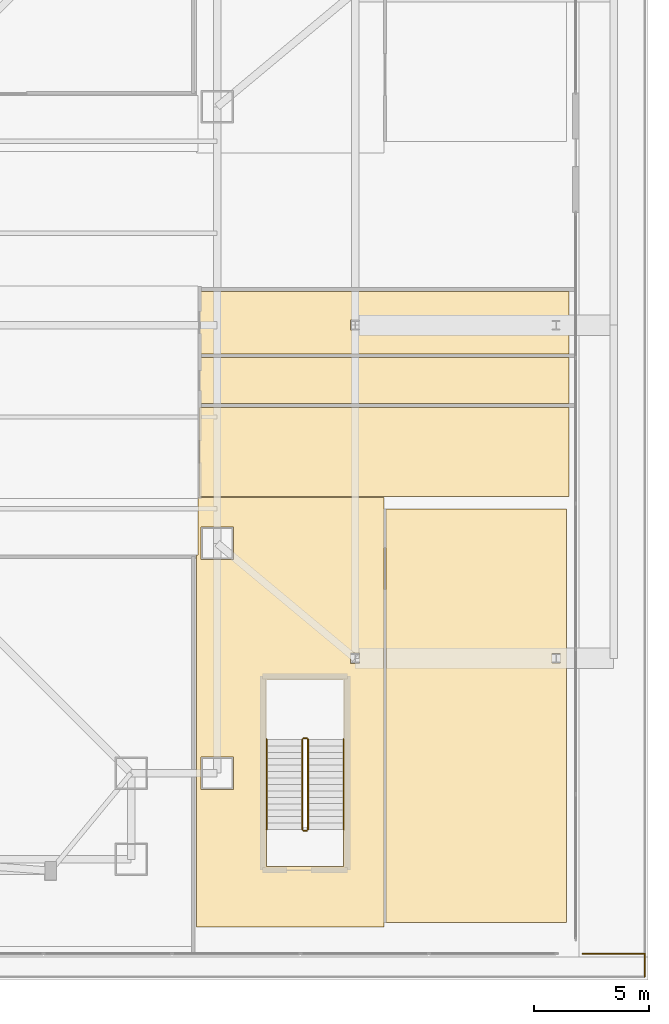
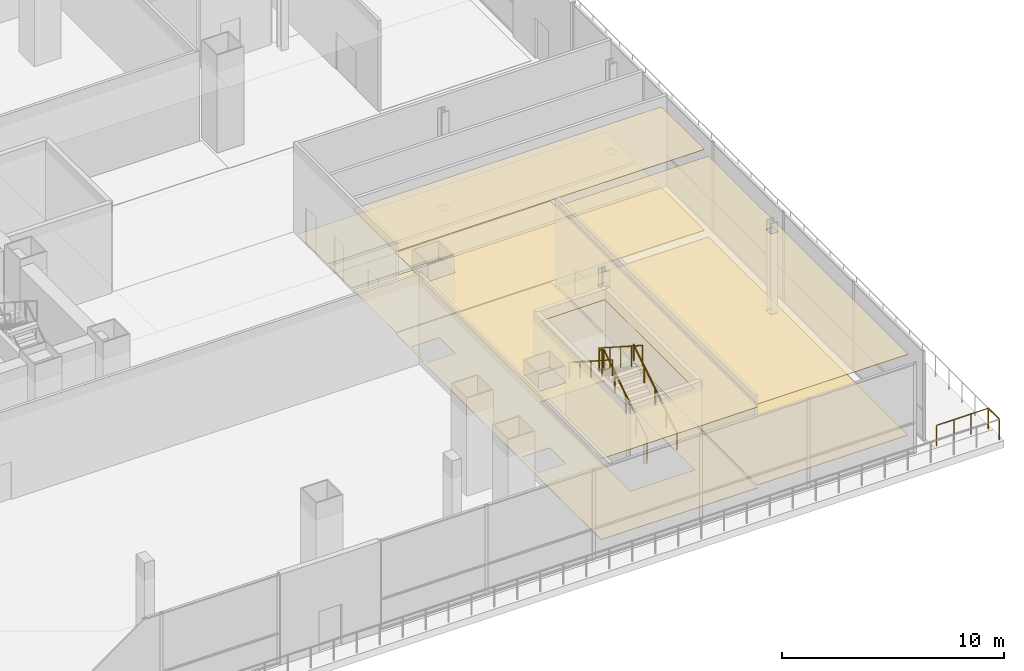
# One storey, part 34 of 36: 8 coverings, 8 railings.
"""IFC4 building model written with IfcOpenShell, lengths in metres."""

import ifcopenshell
import ifcopenshell.guid

model = None  # the IFC model being written
_history = None  # IfcOwnerHistory: only IFC2X3 demands one
_inside = {}  # id of a spatial element -> (the spatial element, [elements in it])
_under = {}  # id of a project, library or spatial element -> (it, [spatial elements below it])
_declared = {}  # id of a project -> (the project, [libraries it declares])
_typed = {}  # id of a type object -> (the type object, [elements of that type])
_made_of = {}  # id of a material, layer set ... -> (it, [elements and type objects made of it])


def new_model(schema):
    """Start an empty IFC model of exactly this schema.

    Asked for "IFC4X3", IfcOpenShell would pick the latest addendum, in which some entities
    have other attributes; the version numbers below select the first issue.
    IFC2X3 requires an IfcOwnerHistory on every rooted entity: one is made here for all.
    """
    global model, _history
    if schema == "IFC4X3":
        model = ifcopenshell.file(schema_version=(4, 3, 0, 0))
    else:
        model = ifcopenshell.file(schema=schema)
    _inside.clear()
    _under.clear()
    _declared.clear()
    _typed.clear()
    _made_of.clear()
    _history = None
    if model.schema == "IFC2X3":
        org = make("IfcOrganization", Name="unknown")
        user = make(
            "IfcPersonAndOrganization",
            ThePerson=make("IfcPerson", FamilyName="unknown"),
            TheOrganization=org,
        )
        app = make(
            "IfcApplication",
            ApplicationDeveloper=org,
            Version="unknown",
            ApplicationFullName="unknown",
            ApplicationIdentifier="unknown",
        )
        _history = make(
            "IfcOwnerHistory",
            OwningUser=user,
            OwningApplication=app,
            ChangeAction="ADDED",
            CreationDate=0,
        )
    return model


def make(cls, **values):
    """One entity of the class cls with the attributes given. An attribute that is None is left unset."""
    return model.create_entity(
        cls, **{name: value for name, value in values.items() if value is not None}
    )


def rooted(cls, **values):
    """An entity with a GlobalId (a new one), such as an element, a storey or a relation."""
    return make(cls, GlobalId=ifcopenshell.guid.new(), OwnerHistory=_history, **values)


def si_unit(unit_type, name, prefix=None):
    """IfcSIUnit, for example si_unit("LENGTHUNIT", "METRE", prefix="MILLI")."""
    return make("IfcSIUnit", UnitType=unit_type, Prefix=prefix, Name=name)


def assignment(units):
    """IfcUnitAssignment: the units of a project."""
    return None if units is None else make("IfcUnitAssignment", Units=units)


def point(xyz):
    """IfcCartesianPoint."""
    return None if xyz is None else make("IfcCartesianPoint", Coordinates=xyz)


def direction(xyz):
    """IfcDirection."""
    return None if xyz is None else make("IfcDirection", DirectionRatios=xyz)


def frame(location, z_axis=None, x_axis=None):
    """IfcAxis2Placement3D, a coordinate frame: its origin and axes. An axis left out is left unset."""
    return make(
        "IfcAxis2Placement3D",
        Location=point(location),
        Axis=direction(z_axis),
        RefDirection=direction(x_axis),
    )


def frame_2d(location, x_axis=None):
    """IfcAxis2Placement2D, a coordinate frame in the plane: its origin and x axis."""
    return make(
        "IfcAxis2Placement2D", Location=point(location), RefDirection=direction(x_axis)
    )


def origin():
    """The frame at (0, 0, 0) with its axes left unset."""
    return frame((0.0, 0.0, 0.0))


def origin_2d():
    """The frame at (0, 0) in the plane with its x axis left unset."""
    return frame_2d((0.0, 0.0))


def place(relative_to, where):
    """IfcLocalPlacement: puts the frame where relative to a parent placement (None: the world)."""
    return make(
        "IfcLocalPlacement", PlacementRelTo=relative_to, RelativePlacement=where
    )


def context(
    kind, dimensions, precision=None, world=None, true_north=None, identifier=None
):
    """IfcGeometricRepresentationContext, for example the 3D "Model" context."""
    return make(
        "IfcGeometricRepresentationContext",
        ContextIdentifier=identifier,
        ContextType=kind,
        CoordinateSpaceDimension=dimensions,
        Precision=precision,
        WorldCoordinateSystem=world,
        TrueNorth=true_north,
    )


def subcontext(parent, identifier, kind, view, scale=None):
    """IfcGeometricRepresentationSubContext, for example "Body" below "Model"."""
    return make(
        "IfcGeometricRepresentationSubContext",
        ContextIdentifier=identifier,
        ContextType=kind,
        ParentContext=parent,
        TargetScale=scale,
        TargetView=view,
    )


def project(units=None, contexts=None):
    """IfcProject with its units and contexts."""
    return rooted(
        "IfcProject",
        Name="project",
        RepresentationContexts=contexts,
        UnitsInContext=assignment(units),
    )


def spatial(cls, under=None, at=None, **own):
    """A site, building, storey or space (cls), placed at a placement, below another one or the project."""
    s = rooted(cls, ObjectPlacement=at, **own)
    if under is not None:
        _under.setdefault(under.id(), (under, []))[1].append(s)
    return s


def polyline(points):
    """IfcPolyline through the points."""
    return make("IfcPolyline", Points=[point(p) for p in points])


def profile(cls, at=None, kind="AREA", **sizes):
    """A parametric profile (cls). Its sizes go by their IFC names, for example OverallWidth=200.0."""
    return make(cls, ProfileType=kind, Position=at, **sizes)


def circle(**sizes):
    """IfcCircleProfileDef."""
    return profile("IfcCircleProfileDef", **sizes)


def outline(outer, holes=None, kind="AREA"):
    """IfcArbitraryClosedProfileDef: a profile drawn as a closed curve; with holes, ...WithVoids."""
    if holes is None:
        return make("IfcArbitraryClosedProfileDef", ProfileType=kind, OuterCurve=outer)
    return make(
        "IfcArbitraryProfileDefWithVoids",
        ProfileType=kind,
        OuterCurve=outer,
        InnerCurves=holes,
    )


def extrude(swept, where, along, depth):
    """IfcExtrudedAreaSolid: the profile swept, set in the frame where, extruded along a direction by depth."""
    return make(
        "IfcExtrudedAreaSolid",
        SweptArea=swept,
        Position=where,
        ExtrudedDirection=direction(along),
        Depth=depth,
    )


def shape(context_of_items, identifier, shape_type, items):
    """IfcShapeRepresentation: the items that make up one representation, for example the "Body"."""
    return make(
        "IfcShapeRepresentation",
        ContextOfItems=context_of_items,
        RepresentationIdentifier=identifier,
        RepresentationType=shape_type,
        Items=items,
    )


def material(Name=None, Category=None):
    """IfcMaterial."""
    return make("IfcMaterial", Name=Name, Category=Category)


def layer(
    of_material, thickness, ventilated=None, Name=None, Category=None, Priority=None
):
    """IfcMaterialLayer: one layer of a wall or slab, of a material (None: an air gap)."""
    return make(
        "IfcMaterialLayer",
        Material=of_material,
        LayerThickness=thickness,
        IsVentilated=ventilated,
        Name=Name,
        Category=Category,
        Priority=Priority,
    )


def layer_set(layers, Name=None):
    """IfcMaterialLayerSet."""
    return make("IfcMaterialLayerSet", MaterialLayers=layers, LayerSetName=Name)


def made_of(thing, what):
    """Note that an element or type object is made of a material, layer set ...; save() writes the relation."""
    if what is not None:
        _made_of.setdefault(what.id(), (what, []))[1].append(thing)
    return thing


def type_object(cls, material=None, **own):
    """A type object (cls), such as IfcWallType, which elements share."""
    return made_of(rooted(cls, **own), material)


def element(
    cls,
    number,
    at=None,
    inside=None,
    cuts=None,
    type_object=None,
    material=None,
    context=None,
    identifier="Body",
    shape_type=None,
    held_by="IfcProductDefinitionShape",
    body=None,
    shapes=None,
    **own,
):
    """One element of the class cls, such as IfcWall. Its Tag is "e" and its number.

    at: its placement. inside: the storey or other place that contains it. cuts: it is an
    opening in that element (IfcRelVoidsElement). A single representation is given by context,
    identifier, shape_type and body (its items); several are given by shapes. held_by: the class
    of the entity that holds the representations. save() writes the other relations.
    """
    e = rooted(cls, Tag="e%d" % number, ObjectPlacement=at, **own)
    if body is not None:
        shapes = [shape(context, identifier, shape_type, body)]
    if shapes is not None:
        e.Representation = make(held_by, Representations=shapes)
    if inside is not None:
        _inside.setdefault(inside.id(), (inside, []))[1].append(e)
    if cuts is not None:
        rooted(
            "IfcRelVoidsElement", RelatingBuildingElement=cuts, RelatedOpeningElement=e
        )
    if type_object is not None:
        _typed.setdefault(type_object.id(), (type_object, []))[1].append(e)
    return made_of(e, material)


def aggregate(whole, parts):
    """IfcRelAggregates: a whole, such as a stair, and the parts it consists of."""
    return rooted("IfcRelAggregates", RelatingObject=whole, RelatedObjects=parts)


def save(model, path):
    """Write the relations noted so far, then the file.

    IfcRelAggregates (storeys below a building ...), IfcRelContainedInSpatialStructure (elements
    in a storey), IfcRelDefinesByType, IfcRelAssociatesMaterial and IfcRelDeclares: one each for
    every whole, place, type object, material and project.
    """
    for whole, parts in _under.values():
        aggregate(whole, parts)
    for where, things in _inside.values():
        rooted(
            "IfcRelContainedInSpatialStructure",
            RelatedElements=things,
            RelatingStructure=where,
        )
    for kind, things in _typed.values():
        rooted("IfcRelDefinesByType", RelatedObjects=things, RelatingType=kind)
    for what, things in _made_of.values():
        rooted("IfcRelAssociatesMaterial", RelatedObjects=things, RelatingMaterial=what)
    for by, libraries in _declared.values():
        rooted("IfcRelDeclares", RelatingContext=by, RelatedDefinitions=libraries)
    model.write(path)


model = new_model("IFC4")

# Units and contexts
model_context = context("Model", 3, precision=1e-05, world=origin(), true_north=direction((0.0, 1.0)))
body_context = subcontext(model_context, "Body", "Model", "MODEL_VIEW")
ifc_project = project(units=[si_unit("LENGTHUNIT", "METRE"), si_unit("AREAUNIT", "SQUARE_METRE"), si_unit("VOLUMEUNIT", "CUBIC_METRE"), si_unit("PLANEANGLEUNIT", "RADIAN"), si_unit("MASSUNIT", "GRAM", prefix="KILO")], contexts=[model_context])

# Site, building, storey
site_placement = place(None, origin())
site = spatial("IfcSite", under=ifc_project, at=site_placement, CompositionType="ELEMENT")
building_placement = place(site_placement, origin())
building = spatial("IfcBuilding", under=site, at=building_placement, Name="Trevonay Congress Spire", CompositionType="ELEMENT")
storey_placement = place(building_placement, frame((0.0, 0.0, 5.39990234375)))
storey = spatial("IfcBuildingStorey", under=building, at=storey_placement, Name="L01", CompositionType="ELEMENT", Elevation=5.39990234375)

# Coverings
ifc_material_1 = material(Name="Acoustic Mineral Fibre Board", Category="gypsum")
ifc_layer_1 = layer(ifc_material_1, 0.02490234375, Name="Acoustic Mineral Fibre Board")
ifc_layer_set_1 = layer_set([ifc_layer_1], Name="Acoustic Mineral Fibre Board")
covering_type_1 = type_object("IfcCoveringType", Name="COV-CEIL-ACOUSTIC", PredefinedType="CEILING", material=ifc_layer_set_1)
covering_1_placement = place(storey_placement, frame((0.0, 0.0, 4.4501953125)))
element("IfcCovering", 1, at=covering_1_placement, inside=storey, type_object=covering_type_1, Name="L01 East VIP Protocol Salon acoustic suspended ceiling", PredefinedType="CEILING", context=body_context, shape_type="SweptSolid", body=[
    extrude(outline(polyline([(22.47998046875, -7.449951171875), (38.550048828125, -7.449951171875), (38.550048828125, -3.580078125), (22.47998046875, -3.580078125), (22.47998046875, -7.449951171875)])), origin(), (0.0, 0.0, 1.0), 0.02490234375),
])
covering_2_placement = place(storey_placement, frame((0.0, 0.0, 4.4501953125)))
element("IfcCovering", 2, at=covering_2_placement, inside=storey, type_object=covering_type_1, Name="L01 L01 Stair Lobby SE acoustic suspended ceiling", PredefinedType="CEILING", context=body_context, shape_type="SweptSolid", body=[
    extrude(outline(polyline([(22.35009765625, -26.199951171875), (22.35009765625, -10.0), (22.419921875, -10.0), (22.419921875, -7.550048828125), (22.419921875, -7.5), (30.5, -7.5), (30.5, -26.199951171875), (22.35009765625, -26.199951171875)]), holes=[polyline([(23.9599609375, -20.2099609375), (23.9599609375, -18.7900390625), (22.5400390625, -18.7900390625), (22.5400390625, -20.2099609375), (23.9599609375, -20.2099609375)]), polyline([(29.055908203125, -14.722412109375), (29.444091796875, -14.722412109375), (29.444091796875, -14.277587890625), (29.055908203125, -14.277587890625), (29.055908203125, -14.722412109375)]), polyline([(22.5400390625, -10.2099609375), (23.9599609375, -10.2099609375), (23.9599609375, -8.7900390625), (22.5400390625, -8.7900390625), (22.5400390625, -10.2099609375)]), polyline([(28.75, -15.449951171875), (25.39990234375, -15.449951171875), (25.39990234375, -23.550048828125), (28.75, -23.550048828125), (28.75, -15.449951171875)])]), origin(), (0.0, 0.0, 1.0), 0.02490234375),
])
covering_3_placement = place(storey_placement, frame((0.0, 0.0, 4.4501953125)))
element("IfcCovering", 3, at=covering_3_placement, inside=storey, type_object=covering_type_1, Name="L01 L01 South-East Delegation Salon acoustic suspended ceiling", PredefinedType="CEILING", context=body_context, shape_type="SweptSolid", body=[
    extrude(outline(polyline([(30.60009765625, -8.0), (38.449951171875, -8.0), (38.449951171875, -26.0), (30.60009765625, -26.0), (30.60009765625, -8.0)]), holes=[polyline([(38.18603515625, -14.71337890625), (38.18603515625, -14.28662109375), (37.81396484375, -14.28662109375), (37.81396484375, -14.71337890625), (38.18603515625, -14.71337890625)])]), origin(), (0.0, 0.0, 1.0), 0.02490234375),
])
ifc_material_2 = material(Name="Polished Granite Floor Tile", Category="masonry")
ifc_layer_2 = layer(ifc_material_2, 0.02001953125, Name="Polished Granite Floor Tile")
ifc_layer_set_2 = layer_set([ifc_layer_2], Name="Polished Granite Floor Tile")
covering_type_2 = type_object("IfcCoveringType", Name="COV-FLOOR-STONE", PredefinedType="FLOORING", material=ifc_layer_set_2)
covering_4_placement = place(storey_placement, origin())
element("IfcCovering", 4, at=covering_4_placement, inside=storey, type_object=covering_type_2, Name="L01 Female Restroom WC floor finish", PredefinedType="FLOORING", context=body_context, shape_type="SweptSolid", body=[
    extrude(outline(polyline([(22.47998046875, -3.419921875), (38.550048828125, -3.419921875), (38.550048828125, -1.409912109375), (22.47998046875, -1.409912109375), (22.47998046875, -3.419921875)])), origin(), (0.0, 0.0, 1.0), 0.02001953125),
])
covering_5_placement = place(storey_placement, origin())
element("IfcCovering", 5, at=covering_5_placement, inside=storey, type_object=covering_type_2, Name="L01 Floor Supplies and Copy Room floor finish", PredefinedType="FLOORING", context=body_context, shape_type="SweptSolid", body=[
    extrude(outline(polyline([(22.47998046875, 1.469970703125), (38.550048828125, 1.469970703125), (38.550048828125, -1.25), (22.47998046875, -1.25), (22.47998046875, 1.469970703125)]), holes=[polyline([(29.055908203125, -0.222412109375), (29.444091796875, -0.222412109375), (29.444091796875, 0.222412109375), (29.055908203125, 0.222412109375), (29.055908203125, -0.222412109375)]), polyline([(37.81396484375, -0.21337890625), (38.18603515625, -0.21337890625), (38.18603515625, 0.21337890625), (37.81396484375, 0.21337890625), (37.81396484375, -0.21337890625)])]), origin(), (0.0, 0.0, 1.0), 0.02001953125),
])
covering_6_placement = place(storey_placement, origin())
element("IfcCovering", 6, at=covering_6_placement, inside=storey, type_object=covering_type_2, Name="L01 L01 Stair Lobby SE floor finish", PredefinedType="FLOORING", context=body_context, shape_type="SweptSolid", body=[
    extrude(outline(polyline([(22.35009765625, -26.199951171875), (22.35009765625, -10.0), (22.419921875, -10.0), (22.419921875, -7.550048828125), (22.419921875, -7.5), (30.5, -7.5), (30.5, -26.199951171875), (22.35009765625, -26.199951171875)]), holes=[polyline([(23.9599609375, -20.2099609375), (23.9599609375, -18.7900390625), (22.5400390625, -18.7900390625), (22.5400390625, -20.2099609375), (23.9599609375, -20.2099609375)]), polyline([(29.055908203125, -14.722412109375), (29.444091796875, -14.722412109375), (29.444091796875, -14.277587890625), (29.055908203125, -14.277587890625), (29.055908203125, -14.722412109375)]), polyline([(22.5400390625, -10.2099609375), (23.9599609375, -10.2099609375), (23.9599609375, -8.7900390625), (22.5400390625, -8.7900390625), (22.5400390625, -10.2099609375)]), polyline([(28.75, -15.449951171875), (25.39990234375, -15.449951171875), (25.39990234375, -23.550048828125), (28.75, -23.550048828125), (28.75, -15.449951171875)])]), origin(), (0.0, 0.0, 1.0), 0.02001953125),
])
ifc_material_3 = material(Name="Engineered Oak Flooring", Category="wood")
ifc_layer_3 = layer(ifc_material_3, 0.01806640625, Name="Engineered Oak Flooring")
ifc_layer_set_3 = layer_set([ifc_layer_3], Name="Engineered Oak Flooring")
covering_type_3 = type_object("IfcCoveringType", Name="COV-FLOOR-TIMBER", PredefinedType="FLOORING", material=ifc_layer_set_3)
covering_7_placement = place(storey_placement, origin())
element("IfcCovering", 7, at=covering_7_placement, inside=storey, type_object=covering_type_3, Name="L01 East VIP Protocol Salon floor finish", PredefinedType="FLOORING", context=body_context, shape_type="SweptSolid", body=[
    extrude(outline(polyline([(22.47998046875, -7.449951171875), (38.550048828125, -7.449951171875), (38.550048828125, -3.580078125), (22.47998046875, -3.580078125), (22.47998046875, -7.449951171875)])), origin(), (0.0, 0.0, 1.0), 0.01806640625),
])
covering_8_placement = place(storey_placement, origin())
element("IfcCovering", 8, at=covering_8_placement, inside=storey, type_object=covering_type_3, Name="L01 L01 South-East Delegation Salon floor finish", PredefinedType="FLOORING", context=body_context, shape_type="SweptSolid", body=[
    extrude(outline(polyline([(30.60009765625, -8.0), (38.449951171875, -8.0), (38.449951171875, -26.0), (30.60009765625, -26.0), (30.60009765625, -8.0)]), holes=[polyline([(38.18603515625, -14.71337890625), (38.18603515625, -14.28662109375), (37.81396484375, -14.28662109375), (37.81396484375, -14.71337890625), (38.18603515625, -14.71337890625)])]), origin(), (0.0, 0.0, 1.0), 0.01806640625),
])

# Railings
ifc_material_4 = material(Name="Pale Anodised Aluminium EN AW-6063-T6", Category="aluminium")
railing_type_1 = type_object("IfcRailingType", Name="RAL-EXT-GUARD-115", PredefinedType="GUARDRAIL", material=ifc_material_4)
railing_1_placement = place(storey_placement, frame((39.14990234375, -27.35009765625, 0.0)))
element("IfcRailing", 9, at=railing_1_placement, inside=storey, type_object=railing_type_1, Name="L01 perimeter safety guard GRD-L01-TER-E-1", PredefinedType="GUARDRAIL", context=body_context, shape_type="SweptSolid", body=[
    extrude(circle(Radius=0.02392578125, at=origin_2d()), frame((0.0, 0.0, 1.1259765625), z_axis=(1.0, 0.0, 0.0), x_axis=(0.0, 1.0, 0.0)), (0.0, 0.0, 1.0), 2.7001953125),
    extrude(circle(Radius=0.02099609375, at=origin_2d()), origin(), (0.0, 0.0, 1.0), 1.101806640625),
    extrude(circle(Radius=0.02099609375, at=origin_2d()), frame((0.900146484375, 0.0, 0.0)), (0.0, 0.0, 1.0), 1.101806640625),
    extrude(circle(Radius=0.02099609375, at=origin_2d()), frame((1.800048828125, 0.0, 0.0)), (0.0, 0.0, 1.0), 1.101806640625),
    extrude(circle(Radius=0.02099609375, at=origin_2d()), frame((2.7001953125, 0.0, 0.0)), (0.0, 0.0, 1.0), 1.101806640625),
])
railing_2_placement = place(storey_placement, frame((41.85009765625, -28.35009765625, 0.0)))
element("IfcRailing", 10, at=railing_2_placement, inside=storey, type_object=railing_type_1, Name="L01 perimeter safety guard GRD-L01-TER-S-3", PredefinedType="GUARDRAIL", context=body_context, shape_type="SweptSolid", body=[
    extrude(circle(Radius=0.02392578125, at=origin_2d()), frame((0.0, 0.0, 1.1259765625), z_axis=(0.0, 1.0, 0.0), x_axis=(-1.0, 0.0, 0.0)), (0.0, 0.0, 1.0), 1.0),
    extrude(circle(Radius=0.02099609375, at=origin_2d()), origin(), (0.0, 0.0, 1.0), 1.101806640625),
    extrude(circle(Radius=0.02099609375, at=origin_2d()), frame((0.0, 1.0, 0.0)), (0.0, 0.0, 1.0), 1.101806640625),
])
railing_type_2 = type_object("IfcRailingType", Name="RAL-STAIR-GUARD-110", PredefinedType="GUARDRAIL", material=ifc_material_4)
railing_3_placement = place(storey_placement, frame((27.199951171875, -21.949951171875, 0.18017578125)))
element("IfcRailing", 11, at=railing_3_placement, inside=storey, type_object=railing_type_2, Name="L01 ST-4 stair guard 1", PredefinedType="GUARDRAIL", context=body_context, shape_type="SweptSolid", body=[
    extrude(circle(Radius=0.02392578125, at=origin_2d()), frame((0.0, 0.0, 1.1259765625), z_axis=(0.0, 0.841171666519, 0.540768182723), x_axis=(-1.0, 0.0, 0.0)), (0.0, 0.0, 1.0), 4.66015625),
    extrude(circle(Radius=0.02099609375, at=origin_2d()), origin(), (0.0, 0.0, 1.0), 1.101806640625),
    extrude(circle(Radius=0.02099609375, at=origin_2d()), frame((0.0, 0.97998046875, 0.6298828125)), (0.0, 0.0, 1.0), 1.101806640625),
    extrude(circle(Radius=0.02099609375, at=origin_2d()), frame((0.0, 1.9599609375, 1.260009765625)), (0.0, 0.0, 1.0), 1.101806640625),
    extrude(circle(Radius=0.02099609375, at=origin_2d()), frame((0.0, 2.93994140625, 1.89013671875)), (0.0, 0.0, 1.0), 1.101806640625),
    extrude(circle(Radius=0.02099609375, at=origin_2d()), frame((0.0, 3.919921875, 2.52001953125)), (0.0, 0.0, 1.0), 1.101806640625),
])
railing_4_placement = place(storey_placement, frame((27.14990234375, -17.97998046875, 2.7001953125)))
element("IfcRailing", 12, at=railing_4_placement, inside=storey, type_object=railing_type_2, Name="L01 ST-4 stair guard 2", PredefinedType="GUARDRAIL", context=body_context, shape_type="SweptSolid", body=[
    extrude(circle(Radius=0.02392578125, at=origin_2d()), frame((0.0, 0.0, 1.1259765625), z_axis=(-1.0, 0.0, 0.0), x_axis=(0.0, -1.0, 0.0)), (0.0, 0.0, 1.0), 0.14990234375),
    extrude(circle(Radius=0.02099609375, at=origin_2d()), origin(), (0.0, 0.0, 1.0), 1.101806640625),
    extrude(circle(Radius=0.02099609375, at=origin_2d()), frame((-0.14990234375, 0.0, 0.0)), (0.0, 0.0, 1.0), 1.101806640625),
])
railing_5_placement = place(storey_placement, frame((26.949951171875, -18.030029296875, 2.880126953125)))
element("IfcRailing", 13, at=railing_5_placement, inside=storey, type_object=railing_type_2, Name="L01 ST-4 stair guard 3", PredefinedType="GUARDRAIL", context=body_context, shape_type="SweptSolid", body=[
    extrude(circle(Radius=0.02392578125, at=origin_2d()), frame((0.0, 0.0, 1.1259765625), z_axis=(0.0, -0.841171666519, 0.540768182723), x_axis=(1.0, 0.0, 0.0)), (0.0, 0.0, 1.0), 4.66015625),
    extrude(circle(Radius=0.02099609375, at=origin_2d()), origin(), (0.0, 0.0, 1.0), 1.101806640625),
    extrude(circle(Radius=0.02099609375, at=origin_2d()), frame((0.0, -0.97998046875, 0.6298828125)), (0.0, 0.0, 1.0), 1.101806640625),
    extrude(circle(Radius=0.02099609375, at=origin_2d()), frame((0.0, -1.9599609375, 1.260009765625)), (0.0, 0.0, 1.0), 1.101806640625),
    extrude(circle(Radius=0.02099609375, at=origin_2d()), frame((0.0, -2.93994140625, 1.89013671875)), (0.0, 0.0, 1.0), 1.101806640625),
    extrude(circle(Radius=0.02099609375, at=origin_2d()), frame((0.0, -3.919921875, 2.52001953125)), (0.0, 0.0, 1.0), 1.101806640625),
])
railing_6_placement = place(storey_placement, frame((27.14990234375, -22.0, 0.0)))
element("IfcRailing", 14, at=railing_6_placement, inside=storey, type_object=railing_type_2, Name="L01 ST-4 stair guard 4", PredefinedType="GUARDRAIL", context=body_context, shape_type="SweptSolid", body=[
    extrude(circle(Radius=0.02392578125, at=origin_2d()), frame((0.0, 0.0, 1.1259765625), z_axis=(-1.0, 0.0, 0.0), x_axis=(0.0, -1.0, 0.0)), (0.0, 0.0, 1.0), 0.14990234375),
    extrude(circle(Radius=0.02099609375, at=origin_2d()), origin(), (0.0, 0.0, 1.0), 1.101806640625),
    extrude(circle(Radius=0.02099609375, at=origin_2d()), frame((-0.14990234375, 0.0, 0.0)), (0.0, 0.0, 1.0), 1.101806640625),
])
railing_type_3 = type_object("IfcRailingType", Name="RAL-STAIR-HANDRAIL", PredefinedType="HANDRAIL", material=ifc_material_4)
railing_7_placement = place(storey_placement, frame((28.75, -21.949951171875, 0.18017578125)))
element("IfcRailing", 15, at=railing_7_placement, inside=storey, type_object=railing_type_3, Name="L01 ST-4 stair handrail 1", PredefinedType="HANDRAIL", context=body_context, shape_type="SweptSolid", body=[
    extrude(circle(Radius=0.02392578125, at=origin_2d()), frame((0.0, 0.0, 0.8759765625), z_axis=(0.0, 0.841171666519, 0.540768182723), x_axis=(-1.0, 0.0, 0.0)), (0.0, 0.0, 1.0), 4.66015625),
    extrude(circle(Radius=0.02099609375, at=origin_2d()), origin(), (0.0, 0.0, 1.0), 0.851806640625),
    extrude(circle(Radius=0.02099609375, at=origin_2d()), frame((0.0, 0.97998046875, 0.6298828125)), (0.0, 0.0, 1.0), 0.851806640625),
    extrude(circle(Radius=0.02099609375, at=origin_2d()), frame((0.0, 1.9599609375, 1.260009765625)), (0.0, 0.0, 1.0), 0.851806640625),
    extrude(circle(Radius=0.02099609375, at=origin_2d()), frame((0.0, 2.93994140625, 1.89013671875)), (0.0, 0.0, 1.0), 0.851806640625),
    extrude(circle(Radius=0.02099609375, at=origin_2d()), frame((0.0, 3.919921875, 2.52001953125)), (0.0, 0.0, 1.0), 0.851806640625),
])
railing_8_placement = place(storey_placement, frame((25.39990234375, -18.030029296875, 2.880126953125)))
element("IfcRailing", 16, at=railing_8_placement, inside=storey, type_object=railing_type_3, Name="L01 ST-4 stair handrail 2", PredefinedType="HANDRAIL", context=body_context, shape_type="SweptSolid", body=[
    extrude(circle(Radius=0.02392578125, at=origin_2d()), frame((0.0, 0.0, 0.8759765625), z_axis=(0.0, -0.841171666519, 0.540768182723), x_axis=(1.0, 0.0, 0.0)), (0.0, 0.0, 1.0), 4.66015625),
    extrude(circle(Radius=0.02099609375, at=origin_2d()), origin(), (0.0, 0.0, 1.0), 0.851806640625),
    extrude(circle(Radius=0.02099609375, at=origin_2d()), frame((0.0, -0.97998046875, 0.6298828125)), (0.0, 0.0, 1.0), 0.851806640625),
    extrude(circle(Radius=0.02099609375, at=origin_2d()), frame((0.0, -1.9599609375, 1.260009765625)), (0.0, 0.0, 1.0), 0.851806640625),
    extrude(circle(Radius=0.02099609375, at=origin_2d()), frame((0.0, -2.93994140625, 1.89013671875)), (0.0, 0.0, 1.0), 0.851806640625),
    extrude(circle(Radius=0.02099609375, at=origin_2d()), frame((0.0, -3.919921875, 2.52001953125)), (0.0, 0.0, 1.0), 0.851806640625),
])

save(model, "model.ifc")
